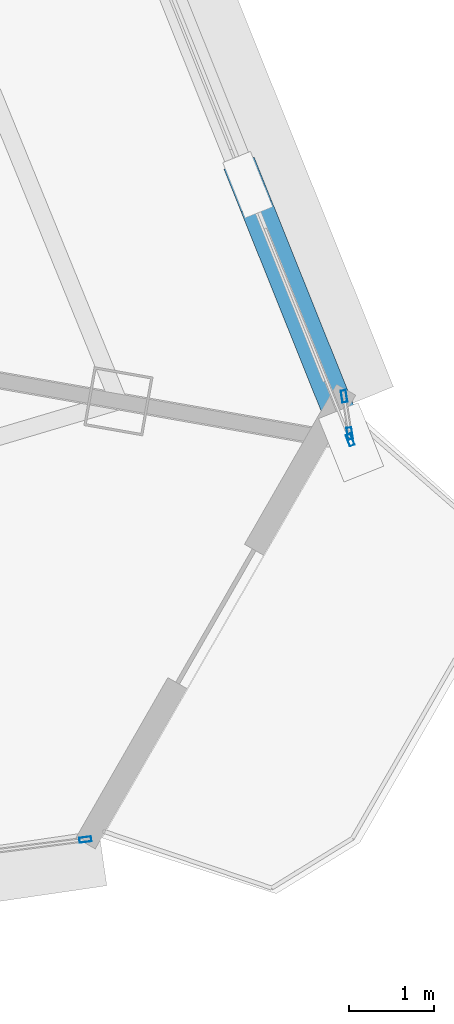
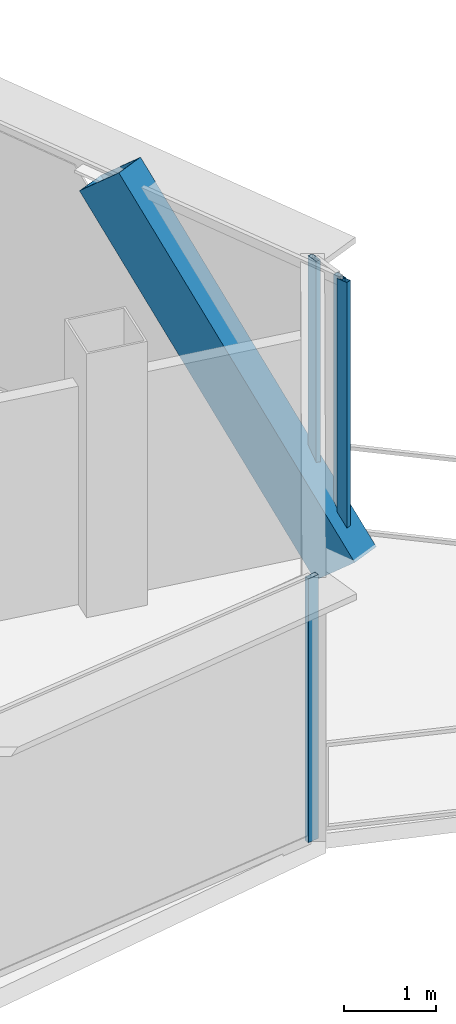
# One storey, part 13 of 30: 5 members, 3 elements without a shape of their own.
"""IFC4 building model written with IfcOpenShell, lengths in metres."""

from ifc_helpers import new_model, si_unit, direction, frame, origin, origin_2d, place, context, subcontext, project, spatial, hollow_rectangle, extrude, source, transform, mapped, material, layer, layer_set, material_profile, profile_set, type_object, element, aggregate, save


model = new_model("IFC4")

# Units and contexts
model_context = context("Model", 3, precision=1e-05, world=origin(), true_north=direction((0.0, 1.0)))
body_context = subcontext(model_context, "Body", "Model", "MODEL_VIEW")
ifc_project = project(units=[si_unit("LENGTHUNIT", "METRE"), si_unit("AREAUNIT", "SQUARE_METRE"), si_unit("VOLUMEUNIT", "CUBIC_METRE"), si_unit("PLANEANGLEUNIT", "RADIAN"), si_unit("MASSUNIT", "GRAM", prefix="KILO"), si_unit("THERMODYNAMICTEMPERATUREUNIT", "KELVIN"), si_unit("POWERUNIT", "WATT")], contexts=[model_context])

# Site, building, storey
site_placement = place(None, origin())
site = spatial("IfcSite", under=ifc_project, at=site_placement, CompositionType="ELEMENT")
building_placement = place(site_placement, origin())
building = spatial("IfcBuilding", under=site, at=building_placement, Name="Yunzhuo Pagoda Commons", CompositionType="ELEMENT")
storey_placement = place(building_placement, frame((0.0, 0.0, 351.760009765625)))
storey = spatial("IfcBuildingStorey", under=building, at=storey_placement, Name="L88", CompositionType="ELEMENT", Elevation=351.760009765625)

# Member
ifc_material_1 = material(Name="Structural steel Q355B", Category="steel")
ifc_material_profile_1 = material_profile(ifc_material_1, hollow_rectangle(XDim=0.3798828125, YDim=0.719970703125, WallThickness=0.02001953125, at=origin_2d()), Name="Structural steel Q355B")
ifc_profile_set_1 = profile_set([ifc_material_profile_1], Name="Structural steel Q355B")
member_type_1 = type_object("IfcMemberType", Name="M-DL3 Brace BOX 720x380x20", PredefinedType="BRACE", material=ifc_profile_set_1)
shared_shape_1 = source(origin(), body_context, "Body", "SweptSolid", [
    extrude(hollow_rectangle(XDim=0.3798828125, YDim=0.719970703125, WallThickness=0.02001953125, at=origin_2d()), origin(), (0.0, 0.0, 1.0), 4.96142578125),
])
member_1_placement = place(storey_placement, frame((75.19384765625, 28.905029296875, -0.260009765625), z_axis=(-0.243925538831, 0.607624077766, 0.755839474773), x_axis=(-0.928014678103, -0.372543631305, 0.0)))
element("IfcMember", 1, at=member_1_placement, inside=storey, type_object=member_type_1, Name="L88 facade diamond brace F2.1L", PredefinedType="BRACE", context=body_context, shape_type="MappedRepresentation", body=[
    mapped(shared_shape_1, transform((0.0, 0.0, 0.0), scale=1.0)),
])

# Curtain wall, member
ifc_material_2 = material(Name="Anodized aluminium 6063-T6", Category="aluminium")
ifc_layer = layer(ifc_material_2, 0.139892578125)
ifc_layer_set = layer_set([ifc_layer], Name="Anodized aluminium 6063-T6")
curtain_wall_type = type_object("IfcCurtainWallType", Name="CW-HI High-Zone Ribbon Curtain Wall", PredefinedType="NOTDEFINED", material=ifc_layer_set)
curtain_wall_1_placement = place(storey_placement, origin())
curtain_wall_1 = element("IfcCurtainWall", 2, at=curtain_wall_1_placement, inside=storey, type_object=curtain_wall_type, Name="L88 curtain wall CW-L88-F1B5", PredefinedType="NOTDEFINED")
ifc_material_profile_2 = material_profile(ifc_material_2, hollow_rectangle(XDim=0.06005859375, YDim=0.139892578125, WallThickness=0.00341796875, at=origin_2d()), Name="Anodized aluminium 6063-T6")
ifc_profile_set_2 = profile_set([ifc_material_profile_2], Name="Anodized aluminium 6063-T6")
member_type_2 = type_object("IfcMemberType", Name="CW-HI-M Mullion RHS 140x60x3.5", PredefinedType="MULLION", material=ifc_profile_set_2)
shared_shape_2 = source(origin(), body_context, "Body", "SweptSolid", [
    extrude(hollow_rectangle(XDim=0.06005859375, YDim=0.139892578125, WallThickness=0.00341796875, at=origin_2d()), origin(), (0.0, 0.0, 1.0), 3.489990234375),
])
member_2_placement = place(storey_placement, frame((72.08349609375, 24.255615234375, 0.0), z_axis=(0.0, 0.0, 1.0), x_axis=(-0.126570661327, 0.991957593696, 0.0)))
member_2 = element("IfcMember", 3, at=member_2_placement, type_object=member_type_2, Name="CW mullion 2", PredefinedType="MULLION", context=body_context, shape_type="MappedRepresentation", body=[
    mapped(shared_shape_2, transform((0.0, 0.0, 0.0), scale=1.0)),
])
aggregate(curtain_wall_1, [member_2])

curtain_wall_2_placement = place(storey_placement, origin())
curtain_wall_2 = element("IfcCurtainWall", 4, at=curtain_wall_2_placement, inside=storey, type_object=curtain_wall_type, Name="L88 curtain wall CW-L88-F2B2", PredefinedType="NOTDEFINED")
member_3_placement = place(storey_placement, frame((75.182373046875, 28.932861328125, 0.0), z_axis=(0.0, 0.0, 1.0), x_axis=(-0.92803921175, -0.372482511608, 0.0)))
member_3 = element("IfcMember", 5, at=member_3_placement, type_object=member_type_2, Name="CW mullion 1", PredefinedType="MULLION", context=body_context, shape_type="MappedRepresentation", body=[
    mapped(shared_shape_2, transform((0.0, 0.0, 0.0), scale=1.0)),
])
aggregate(curtain_wall_2, [member_3])

# Curtain wall, members
curtain_wall_3_placement = place(storey_placement, origin())
curtain_wall_3 = element("IfcCurtainWall", 6, at=curtain_wall_3_placement, inside=storey, type_object=curtain_wall_type, Name="L88 curtain wall CW-L88-F2B1", PredefinedType="NOTDEFINED")
member_4_placement = place(storey_placement, frame((75.111572265625, 29.44384765625, 0.0), z_axis=(0.0, 0.0, 1.0), x_axis=(0.988629179637, 0.150374017607, 0.0)))
member_4 = element("IfcMember", 7, at=member_4_placement, type_object=member_type_2, Name="CW mullion 1", PredefinedType="MULLION", context=body_context, shape_type="MappedRepresentation", body=[
    mapped(shared_shape_2, transform((0.0, 0.0, 0.0), scale=1.0)),
])
member_5_placement = place(storey_placement, frame((75.177734375, 29.0087890625, 0.0), z_axis=(0.0, 0.0, 1.0), x_axis=(0.988629179637, 0.150374017607, 0.0)))
member_5 = element("IfcMember", 8, at=member_5_placement, type_object=member_type_2, Name="CW mullion 2", PredefinedType="MULLION", context=body_context, shape_type="MappedRepresentation", body=[
    mapped(shared_shape_2, transform((0.0, 0.0, 0.0), scale=1.0)),
])
aggregate(curtain_wall_3, [member_4, member_5])

save(model, "model.ifc")
